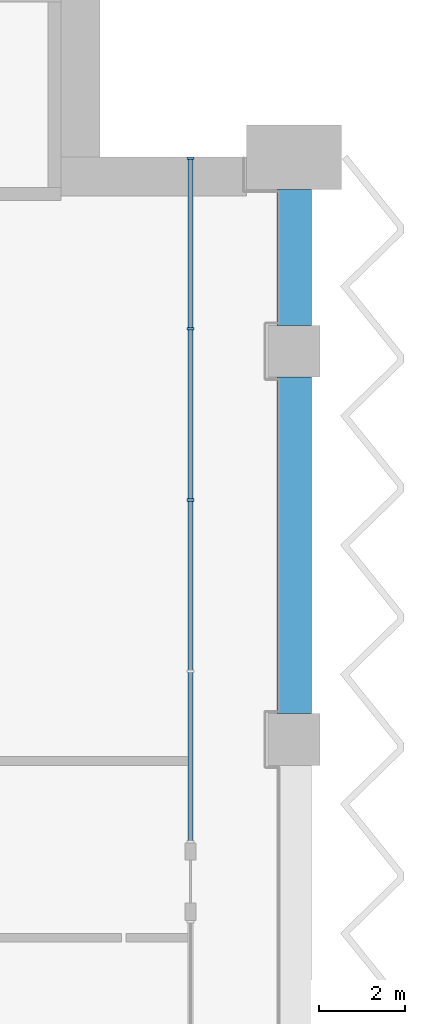
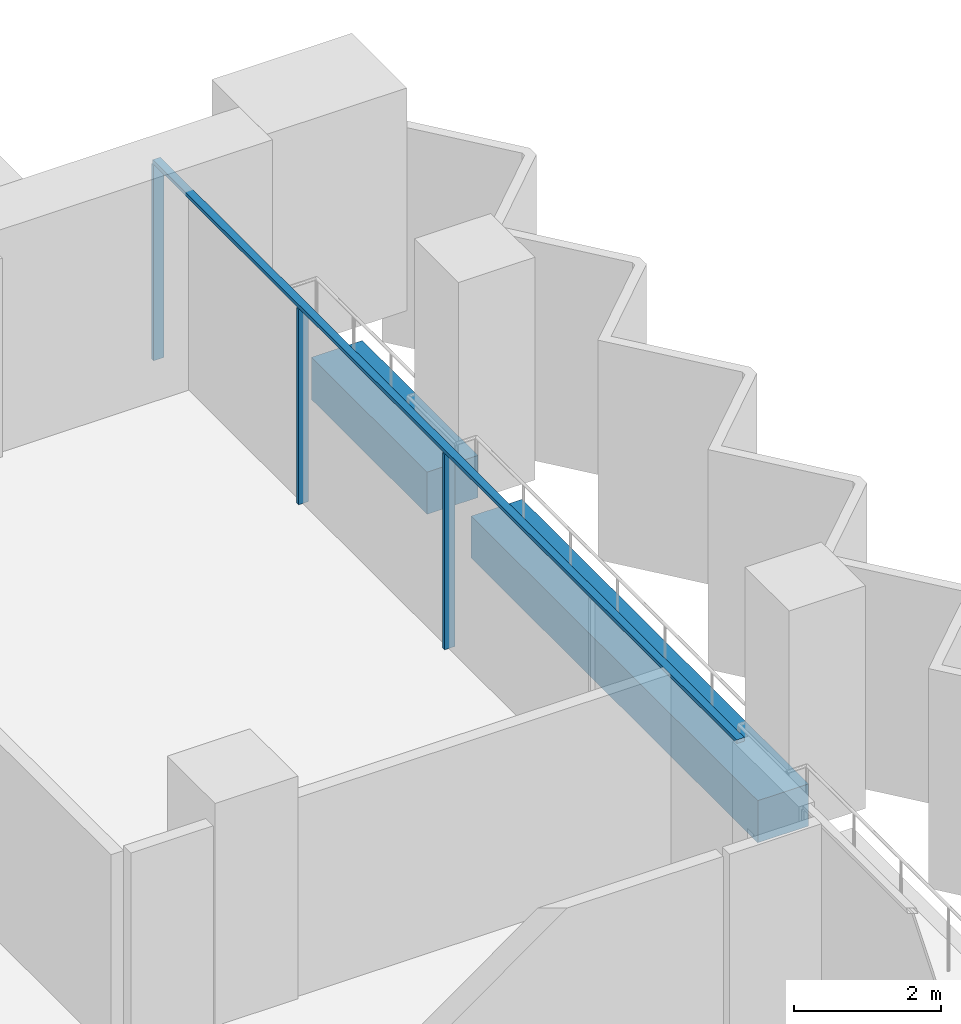
# One storey, part 6 of 23: 4 members, 2 beams, 1 element without a shape of its own.
"""IFC4 building model written with IfcOpenShell, lengths in metres."""

from ifc_helpers import new_model, si_unit, direction, frame, origin, origin_2d, place, context, subcontext, project, spatial, rectangle, extrude, material, material_profile, profile_set, type_object, element, aggregate, save


model = new_model("IFC4")

# Units and contexts
model_context = context("Model", 3, precision=1e-05, world=origin(), true_north=direction((0.0, 1.0)))
body_context = subcontext(model_context, "Body", "Model", "MODEL_VIEW")
ifc_project = project(units=[si_unit("LENGTHUNIT", "METRE"), si_unit("AREAUNIT", "SQUARE_METRE"), si_unit("VOLUMEUNIT", "CUBIC_METRE"), si_unit("PLANEANGLEUNIT", "RADIAN"), si_unit("MASSUNIT", "GRAM", prefix="KILO")], contexts=[model_context])

# Site, building, storey
site_placement = place(None, origin())
site = spatial("IfcSite", under=ifc_project, at=site_placement, CompositionType="ELEMENT")
building_placement = place(site_placement, origin())
building = spatial("IfcBuilding", under=site, at=building_placement, Name="Hunhe Ridgeline Campus", CompositionType="ELEMENT")
storey_placement = place(building_placement, frame((0.0, 0.0, 121.800048828125)))
storey = spatial("IfcBuildingStorey", under=building, at=storey_placement, Name="L30", CompositionType="ELEMENT", Elevation=121.800048828125)

# Curtain wall, members
ifc_material_1 = material(Name="Aluminium 6063", Category="aluminium")
curtain_wall_type = type_object("IfcCurtainWallType", Name="Curtain wall CW-1", PredefinedType="NOTDEFINED", material=ifc_material_1)
curtain_wall_placement = place(storey_placement, origin())
curtain_wall = element("IfcCurtainWall", 1, at=curtain_wall_placement, inside=storey, type_object=curtain_wall_type, Name="Curtain wall 16", PredefinedType="NOTDEFINED")
ifc_material_profile_1 = material_profile(ifc_material_1, rectangle(XDim=0.159912109375, YDim=0.06005859375, at=origin_2d()))
ifc_profile_set_1 = profile_set([ifc_material_profile_1], Name="Aluminium 6063")
member_type_1 = type_object("IfcMemberType", Name="CW-1 aluminium mullion", PredefinedType="MULLION", material=ifc_profile_set_1)
member_1_placement = place(storey_placement, frame((78.59912109375, 86.55029296875, 0.0), z_axis=(0.0, 0.0, 1.0), x_axis=(-1.0, 0.0, 0.0)))
member_1 = element("IfcMember", 2, at=member_1_placement, type_object=member_type_1, Name="CW-1 mullion 3", PredefinedType="MULLION", context=body_context, shape_type="SweptSolid", body=[
    extrude(rectangle(XDim=0.159912109375, YDim=0.06005859375, at=origin_2d()), origin(), (0.0, 0.0, 1.0), 3.239990234375),
])
member_2_placement = place(storey_placement, frame((78.59912109375, 90.525146484375, 0.0), z_axis=(0.0, 0.0, 1.0), x_axis=(-1.0, 0.0, 0.0)))
member_2 = element("IfcMember", 3, at=member_2_placement, type_object=member_type_1, Name="CW-1 mullion 4", PredefinedType="MULLION", context=body_context, shape_type="SweptSolid", body=[
    extrude(rectangle(XDim=0.159912109375, YDim=0.06005859375, at=origin_2d()), origin(), (0.0, 0.0, 1.0), 3.239990234375),
])
member_3_placement = place(storey_placement, frame((78.59912109375, 94.469970703125, 0.0), z_axis=(0.0, 0.0, 1.0), x_axis=(-1.0, 0.0, 0.0)))
member_3 = element("IfcMember", 4, at=member_3_placement, type_object=member_type_1, Name="CW-1 mullion 5", PredefinedType="MULLION", context=body_context, shape_type="SweptSolid", body=[
    extrude(rectangle(XDim=0.159912109375, YDim=0.06005859375, at=origin_2d()), origin(), (0.0, 0.0, 1.0), 3.239990234375),
])
ifc_material_profile_2 = material_profile(ifc_material_1, rectangle(XDim=0.1201171875, YDim=0.06005859375, at=origin_2d()))
ifc_profile_set_2 = profile_set([ifc_material_profile_2], Name="Aluminium 6063")
member_type_2 = type_object("IfcMemberType", Name="CW-1 aluminium transom", PredefinedType="USERDEFINED", material=ifc_profile_set_2)
member_4_placement = place(storey_placement, frame((78.59912109375, 78.6005859375, 3.27001953125), z_axis=(0.0, 1.0, 0.0), x_axis=(-1.0, 0.0, 0.0)))
member_4 = element("IfcMember", 5, at=member_4_placement, type_object=member_type_2, Name="CW-1 transom 1", ObjectType="TRANSOM", PredefinedType="USERDEFINED", context=body_context, shape_type="SweptSolid", body=[
    extrude(rectangle(XDim=0.1201171875, YDim=0.06005859375, at=origin_2d()), origin(), (0.0, 0.0, 1.0), 15.8994140625),
])
aggregate(curtain_wall, [member_4, member_1, member_2, member_3])

# Beams
ifc_material_2 = material(Name="Concrete C60", Category="concrete")
ifc_material_profile_3 = material_profile(ifc_material_2, rectangle(XDim=0.800048828125, YDim=0.699951171875, at=origin_2d()))
ifc_profile_set_3 = profile_set([ifc_material_profile_3], Name="Concrete C60")
beam_type = type_object("IfcBeamType", Name="RC spandrel beam 800x700 Concrete C60", PredefinedType="SPANDREL", material=ifc_profile_set_3)
beam_1_placement = place(storey_placement, frame((81.0, 81.60009765625, -0.60009765625), z_axis=(0.0, 1.0, 0.0), x_axis=(-1.0, 0.0, 0.0)))
element("IfcBeam", 6, at=beam_1_placement, inside=storey, type_object=beam_type, Name="Spandrel beam B1-21 L30", PredefinedType="SPANDREL", context=body_context, shape_type="SweptSolid", body=[
    extrude(rectangle(XDim=0.800048828125, YDim=0.699951171875, at=origin_2d()), origin(), (0.0, 0.0, 1.0), 7.7998046875),
])
beam_2_placement = place(storey_placement, frame((81.0, 90.60009765625, -0.60009765625), z_axis=(0.0, 1.0, 0.0), x_axis=(-1.0, 0.0, 0.0)))
element("IfcBeam", 7, at=beam_2_placement, inside=storey, type_object=beam_type, Name="Spandrel beam B1-22 L30", PredefinedType="SPANDREL", context=body_context, shape_type="SweptSolid", body=[
    extrude(rectangle(XDim=0.800048828125, YDim=0.699951171875, at=origin_2d()), origin(), (0.0, 0.0, 1.0), 3.14990234375),
])

save(model, "model.ifc")
